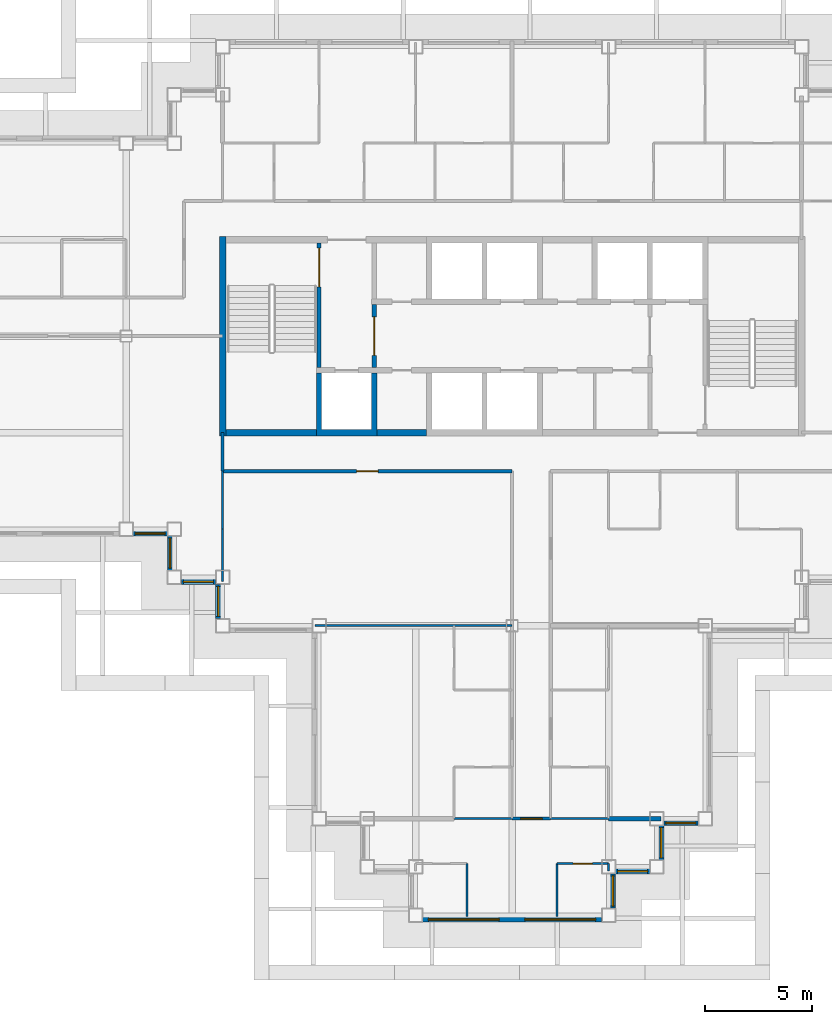
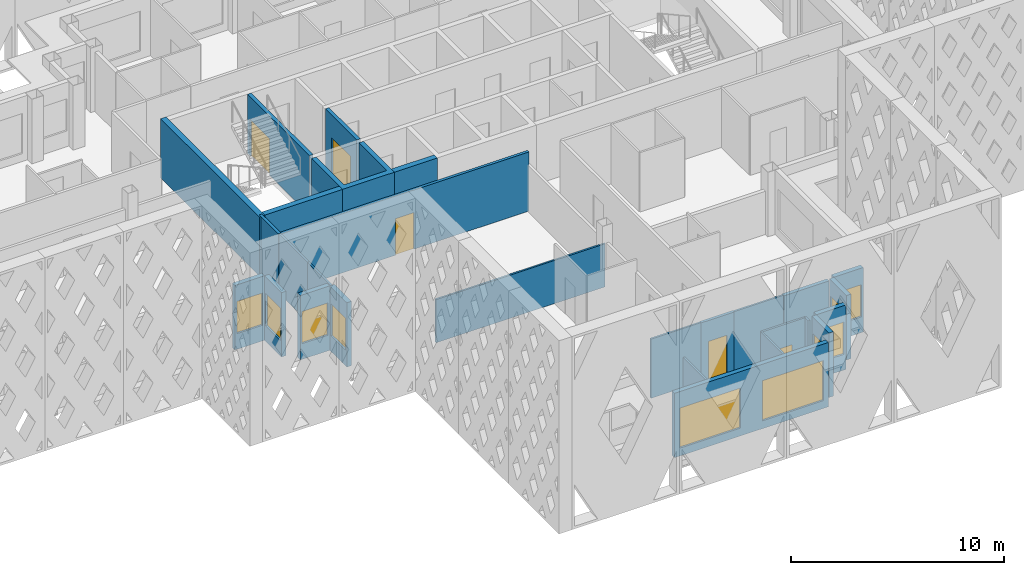
# One storey, part 3 of 17: 28 walls, 10 windows, 5 doors, 15 openings.
"""IFC4 building model written with IfcOpenShell, lengths in metres."""

from ifc_helpers import new_model, si_unit, direction, frame, frame_2d, origin, place, context, subcontext, project, spatial, polyline, rectangle, outline, extrude, material, layer, layer_set, type_object, element, fill, save


model = new_model("IFC4")

# Units and contexts
model_context = context("Model", 3, precision=1e-05, world=origin(), true_north=direction((0.0, 1.0)))
body_context = subcontext(model_context, "Body", "Model", "MODEL_VIEW")
ifc_project = project(units=[si_unit("LENGTHUNIT", "METRE"), si_unit("AREAUNIT", "SQUARE_METRE"), si_unit("VOLUMEUNIT", "CUBIC_METRE"), si_unit("PLANEANGLEUNIT", "RADIAN"), si_unit("MASSUNIT", "GRAM", prefix="KILO")], contexts=[model_context])

# Site, building, storey
site_placement = place(None, origin())
site = spatial("IfcSite", under=ifc_project, at=site_placement, CompositionType="ELEMENT")
building_placement = place(site_placement, origin())
building = spatial("IfcBuilding", under=site, at=building_placement, Name="Caravel Reach Hotel and Residences", CompositionType="ELEMENT")
storey_placement = place(building_placement, frame((0.0, 0.0, 222.0)))
storey = spatial("IfcBuildingStorey", under=building, at=storey_placement, Name="L56", CompositionType="ELEMENT", Elevation=222.0)

# Walls
ifc_material_1 = material(Name="Gypsum board on steel stud", Category="steel")
ifc_layer_1 = layer(ifc_material_1, 0.10009765625)
ifc_layer_set_1 = layer_set([ifc_layer_1], Name="Bathroom pod wall 100 mm")
wall_type_1 = type_object("IfcWallType", Name="Bathroom pod wall 100 mm", PredefinedType="PARTITIONING", material=ifc_layer_set_1)
for number, where, z_axis, x_axis, name in (
    (1, (33.300048828125, 4.5, 0.0), (0.0, 0.0, 1.0), (1.0, 0.0, 0.0), "L56 wall w086"),
    (2, (28.800048828125, 4.5, 0.0), (0.0, 0.0, 1.0), (1.0, 0.0, 0.0), "L56 wall w087"),
):
    element("IfcWall", number, at=place(storey_placement, frame(where, z_axis=z_axis, x_axis=x_axis)), inside=storey, type_object=wall_type_1, Name=name, PredefinedType="PARTITIONING", context=body_context, shape_type="SweptSolid", body=[
        extrude(rectangle(XDim=2.699951171875, YDim=0.10009765625, at=frame_2d((1.35009765625, 0.0))), origin(), (0.0, 0.0, 1.0), 3.39990234375),
    ])
wall_1_placement = place(storey_placement, frame((29.39990234375, -0.074951171875, 0.0), z_axis=(0.0, 0.0, 1.0), x_axis=(0.0, 1.0, 0.0)))
element("IfcWall", 3, at=wall_1_placement, inside=storey, type_object=wall_type_1, Name="L56 wall w094", PredefinedType="PARTITIONING", context=body_context, shape_type="SweptSolid", body=[
    extrude(rectangle(XDim=2.474853515625, YDim=0.10009765625, at=frame_2d((1.2373046875, 0.0))), origin(), (0.0, 0.0, 1.0), 3.39990234375),
])
ifc_material_2 = material(Name="Concrete C60", Category="concrete")
ifc_layer_2 = layer(ifc_material_2, 0.300048828125)
ifc_layer_set_2 = layer_set([ifc_layer_2], Name="Core wall 300 mm EI 120")
wall_type_2 = type_object("IfcWallType", Name="Core wall 300 mm EI 120", PredefinedType="SHEAR", material=ifc_layer_set_2)
wall_2_placement = place(storey_placement, frame((18.14990234375, 22.5, 0.0), z_axis=(0.0, 0.0, 1.0), x_axis=(1.0, 0.0, 0.0)))
element("IfcWall", 4, at=wall_2_placement, inside=storey, type_object=wall_type_2, Name="L56 core wall S1", PredefinedType="SHEAR", context=body_context, shape_type="SweptSolid", body=[
    extrude(rectangle(XDim=4.22509765625, YDim=0.300048828125, at=frame_2d((2.112548828125, 0.0))), origin(), (0.0, 0.0, 1.0), 3.39990234375),
])
wall_3_placement = place(storey_placement, frame((25.196533203125, 22.5, 0.0), z_axis=(0.0, 0.0, 1.0), x_axis=(1.0, 0.0, 0.0)))
element("IfcWall", 5, at=wall_3_placement, inside=storey, type_object=wall_type_2, Name="L56 core wall S2", PredefinedType="SHEAR", context=body_context, shape_type="SweptSolid", body=[
    extrude(rectangle(XDim=2.3212890625, YDim=0.300048828125, at=frame_2d((1.16064453125, 0.0))), origin(), (0.0, 0.0, 1.0), 3.39990234375),
])
wall_4_placement = place(storey_placement, frame((18.0, 22.35009765625, 0.0), z_axis=(0.0, 0.0, 1.0), x_axis=(0.0, 1.0, 0.0)))
element("IfcWall", 6, at=wall_4_placement, inside=storey, type_object=wall_type_2, Name="L56 core wall W", PredefinedType="SHEAR", context=body_context, shape_type="SweptSolid", body=[
    extrude(rectangle(XDim=9.2998046875, YDim=0.300048828125, at=frame_2d((4.64990234375, 0.0))), origin(), (0.0, 0.0, 1.0), 3.39990234375),
])

# Wall, opening, door
ifc_material_3 = material(Name="Gypsum board on steel stud, fire-rated", Category="steel")
ifc_layer_3 = layer(ifc_material_3, 0.14990234375)
ifc_layer_set_3 = layer_set([ifc_layer_3], Name="Corridor wall 150 mm EI 60")
wall_type_3 = type_object("IfcWallType", Name="Corridor wall 150 mm EI 60", PredefinedType="PARTITIONING", material=ifc_layer_set_3)
wall_5_placement = place(storey_placement, frame((18.0, 20.699951171875, 0.0), z_axis=(0.0, 0.0, 1.0), x_axis=(1.0, 0.0, 0.0)))
wall_5 = element("IfcWall", 7, at=wall_5_placement, inside=storey, type_object=wall_type_3, Name="L56 wall w005", PredefinedType="PARTITIONING", context=body_context, shape_type="SweptSolid", body=[
    extrude(rectangle(XDim=13.5, YDim=0.14990234375, at=frame_2d((6.75, 0.0))), origin(), (0.0, 0.0, 1.0), 3.39990234375),
])
opening_1_placement = place(wall_5_placement, frame((6.25, 0.0, 0.0)))
opening_1 = element("IfcOpeningElement", 8, at=opening_1_placement, cuts=wall_5, Name="Opening D56-033", PredefinedType="OPENING", context=body_context, shape_type="SweptSolid", body=[
    extrude(rectangle(XDim=1.0, YDim=2.10009765625, at=frame_2d((0.5, 1.050048828125))), frame((0.0, 0.0849609375, 0.0), z_axis=(0.0, -1.0, 0.0), x_axis=(1.0, 0.0, 0.0)), (0.0, 0.0, 1.0), 0.169921875),
])
ifc_material_4 = material(Name="Steel fire door leaf", Category="steel")
door_type_1 = type_object("IfcDoorType", Name="Fire door 1000 x 2100 EI 60", OperationType="SINGLE_SWING_LEFT", PredefinedType="DOOR", material=ifc_material_4)
door_1_placement = place(opening_1_placement, origin())
door_1 = element("IfcDoor", 9, at=door_1_placement, inside=storey, type_object=door_type_1, Name="door D56-033", OperationType="SINGLE_SWING_RIGHT", OverallHeight=2.10009765625, OverallWidth=1.0, PredefinedType="DOOR", context=body_context, shape_type="SweptSolid", body=[
    extrude(rectangle(XDim=1.0, YDim=2.10009765625, at=frame_2d((0.5, 1.050048828125))), frame((0.0, 0.02490234375, 0.0), z_axis=(0.0, -1.0, 0.0), x_axis=(1.0, 0.0, 0.0)), (0.0, 0.0, 1.0), 0.050048828125),
])
fill(opening_1, door_1)

wall_6_placement = place(storey_placement, frame((31.5, 4.5, 0.0), z_axis=(0.0, 0.0, 1.0), x_axis=(1.0, 0.0, 0.0)))
wall_6 = element("IfcWall", 10, at=wall_6_placement, inside=storey, type_object=wall_type_3, Name="L56 wall w018", PredefinedType="PARTITIONING", context=body_context, shape_type="SweptSolid", body=[
    extrude(rectangle(XDim=1.800048828125, YDim=0.14990234375, at=frame_2d((0.89990234375, 0.0))), origin(), (0.0, 0.0, 1.0), 3.39990234375),
])
opening_2_placement = place(wall_6_placement, frame((0.39990234375, 0.0, 0.0)))
opening_2 = element("IfcOpeningElement", 11, at=opening_2_placement, cuts=wall_6, Name="Opening D56-047", PredefinedType="OPENING", context=body_context, shape_type="SweptSolid", body=[
    extrude(rectangle(XDim=1.0, YDim=2.199951171875, at=frame_2d((0.5, 1.10009765625))), frame((0.0, 0.0849609375, 0.0), z_axis=(0.0, -1.0, 0.0), x_axis=(1.0, 0.0, 0.0)), (0.0, 0.0, 1.0), 0.169921875),
])
ifc_material_5 = material(Name="Steel fire door leaf", Category="steel")
door_type_2 = type_object("IfcDoorType", Name="Flat entrance door 1000 x 2200 EI 60", OperationType="SINGLE_SWING_LEFT", PredefinedType="DOOR", material=ifc_material_5)
door_2_placement = place(opening_2_placement, origin())
door_2 = element("IfcDoor", 12, at=door_2_placement, inside=storey, type_object=door_type_2, Name="door D56-047", OperationType="SINGLE_SWING_RIGHT", OverallHeight=2.199951171875, OverallWidth=1.0, PredefinedType="DOOR", context=body_context, shape_type="SweptSolid", body=[
    extrude(rectangle(XDim=1.0, YDim=2.199951171875, at=frame_2d((0.5, 1.10009765625))), frame((0.0, 0.02490234375, 0.0), z_axis=(0.0, -1.0, 0.0), x_axis=(1.0, 0.0, 0.0)), (0.0, 0.0, 1.0), 0.050048828125),
])
fill(opening_2, door_2)

# Wall
wall_7_placement = place(storey_placement, frame((18.0, 20.699951171875, 0.0), z_axis=(0.0, 0.0, 1.0), x_axis=(0.0, 1.0, 0.0)))
element("IfcWall", 13, at=wall_7_placement, inside=storey, type_object=wall_type_3, Name="L56 wall w020", PredefinedType="PARTITIONING", context=body_context, shape_type="SweptSolid", body=[
    extrude(rectangle(XDim=1.800048828125, YDim=0.14990234375, at=frame_2d((0.89990234375, 0.0))), origin(), (0.0, 0.0, 1.0), 3.39990234375),
])

# Wall, opening, window
ifc_material_6 = material(Name="Insulated rainscreen wall, aluminium cladding", Category="aluminium")
ifc_layer_4 = layer(ifc_material_6, 0.25)
ifc_layer_set_4 = layer_set([ifc_layer_4], Name="EW1 Tower rainscreen wall")
wall_type_4 = type_object("IfcWallType", Name="EW1 Tower rainscreen wall", PredefinedType="SOLIDWALL", material=ifc_layer_set_4)
wall_8_placement = place(storey_placement, frame((13.824951171875, 17.800048828125, 0.0), z_axis=(0.0, 0.0, 1.0), x_axis=(1.0, 0.0, 0.0)))
wall_8 = element("IfcWall", 14, at=wall_8_placement, inside=storey, type_object=wall_type_4, Name="External wall L56 S25.2", PredefinedType="SOLIDWALL", context=body_context, shape_type="SweptSolid", body=[
    extrude(rectangle(XDim=1.60009765625, YDim=0.25, at=frame_2d((0.800048828125, 0.0))), origin(), (0.0, 0.0, 1.0), 3.699951171875),
])
opening_3_placement = place(wall_8_placement, frame((0.10009765625, 0.0, 0.89990234375)))
opening_3 = element("IfcOpeningElement", 15, at=opening_3_placement, cuts=wall_8, Name="Opening WN22", PredefinedType="OPENING", context=body_context, shape_type="SweptSolid", body=[
    extrude(rectangle(XDim=1.39990234375, YDim=1.85009765625, at=frame_2d((0.699951171875, 0.925048828125))), frame((0.0, 0.135009765625, 0.0), z_axis=(0.0, -1.0, 0.0), x_axis=(1.0, 0.0, 0.0)), (0.0, 0.0, 1.0), 0.27001953125),
])
ifc_material_7 = material(Name="Dark low-e glazing in black aluminium frame", Category="aluminium")
window_type_1 = type_object("IfcWindowType", Name="Residence bedroom window 1400 x 1850", PartitioningType="SINGLE_PANEL", PredefinedType="WINDOW", material=ifc_material_7)
window_1_placement = place(opening_3_placement, origin())
window_1 = element("IfcWindow", 16, at=window_1_placement, inside=storey, type_object=window_type_1, Name="Window L56 S25.2.1", OverallHeight=1.85009765625, OverallWidth=1.39990234375, PartitioningType="SINGLE_PANEL", PredefinedType="WINDOW", context=body_context, shape_type="SweptSolid", body=[
    extrude(rectangle(XDim=1.39990234375, YDim=1.85009765625, at=frame_2d((0.699951171875, 0.925048828125))), frame((0.0, 0.030029296875, 0.0), z_axis=(0.0, -1.0, 0.0), x_axis=(1.0, 0.0, 0.0)), (0.0, 0.0, 1.0), 0.06005859375),
])
fill(opening_3, window_1)

wall_9_placement = place(storey_placement, frame((15.550048828125, 17.675048828125, 0.0), z_axis=(0.0, 0.0, 1.0), x_axis=(0.0, -1.0, 0.0)))
wall_9 = element("IfcWall", 17, at=wall_9_placement, inside=storey, type_object=wall_type_4, Name="External wall L56 W26.1", PredefinedType="SOLIDWALL", context=body_context, shape_type="SweptSolid", body=[
    extrude(rectangle(XDim=1.60009765625, YDim=0.25, at=frame_2d((0.800048828125, 0.0))), origin(), (0.0, 0.0, 1.0), 3.699951171875),
])
opening_4_placement = place(wall_9_placement, frame((0.10009765625, 0.0, 0.89990234375)))
opening_4 = element("IfcOpeningElement", 18, at=opening_4_placement, cuts=wall_9, Name="Opening WN22", PredefinedType="OPENING", context=body_context, shape_type="SweptSolid", body=[
    extrude(rectangle(XDim=1.39990234375, YDim=1.85009765625, at=frame_2d((0.699951171875, 0.925048828125))), frame((0.0, 0.135009765625, 0.0), z_axis=(0.0, -1.0, 0.0), x_axis=(1.0, 0.0, 0.0)), (0.0, 0.0, 1.0), 0.27001953125),
])
window_2_placement = place(opening_4_placement, origin())
window_2 = element("IfcWindow", 19, at=window_2_placement, inside=storey, type_object=window_type_1, Name="Window L56 W26.1.1", OverallHeight=1.85009765625, OverallWidth=1.39990234375, PartitioningType="SINGLE_PANEL", PredefinedType="WINDOW", context=body_context, shape_type="SweptSolid", body=[
    extrude(rectangle(XDim=1.39990234375, YDim=1.85009765625, at=frame_2d((0.699951171875, 0.925048828125))), frame((0.0, 0.030029296875, 0.0), z_axis=(0.0, -1.0, 0.0), x_axis=(1.0, 0.0, 0.0)), (0.0, 0.0, 1.0), 0.06005859375),
])
fill(opening_4, window_2)

wall_10_placement = place(storey_placement, frame((16.074951171875, 15.550048828125, 0.0), z_axis=(0.0, 0.0, 1.0), x_axis=(1.0, 0.0, 0.0)))
wall_10 = element("IfcWall", 20, at=wall_10_placement, inside=storey, type_object=wall_type_4, Name="External wall L56 S27.1", PredefinedType="SOLIDWALL", context=body_context, shape_type="SweptSolid", body=[
    extrude(rectangle(XDim=1.60009765625, YDim=0.25, at=frame_2d((0.800048828125, 0.0))), origin(), (0.0, 0.0, 1.0), 3.699951171875),
])
opening_5_placement = place(wall_10_placement, frame((0.10009765625, 0.0, 0.89990234375)))
opening_5 = element("IfcOpeningElement", 21, at=opening_5_placement, cuts=wall_10, Name="Opening WN22", PredefinedType="OPENING", context=body_context, shape_type="SweptSolid", body=[
    extrude(rectangle(XDim=1.39990234375, YDim=1.85009765625, at=frame_2d((0.699951171875, 0.925048828125))), frame((0.0, 0.135009765625, 0.0), z_axis=(0.0, -1.0, 0.0), x_axis=(1.0, 0.0, 0.0)), (0.0, 0.0, 1.0), 0.27001953125),
])
window_3_placement = place(opening_5_placement, origin())
window_3 = element("IfcWindow", 22, at=window_3_placement, inside=storey, type_object=window_type_1, Name="Window L56 S27.1.1", OverallHeight=1.85009765625, OverallWidth=1.39990234375, PartitioningType="SINGLE_PANEL", PredefinedType="WINDOW", context=body_context, shape_type="SweptSolid", body=[
    extrude(rectangle(XDim=1.39990234375, YDim=1.85009765625, at=frame_2d((0.699951171875, 0.925048828125))), frame((0.0, 0.030029296875, 0.0), z_axis=(0.0, -1.0, 0.0), x_axis=(1.0, 0.0, 0.0)), (0.0, 0.0, 1.0), 0.06005859375),
])
fill(opening_5, window_3)

wall_11_placement = place(storey_placement, frame((17.800048828125, 15.425048828125, 0.0), z_axis=(0.0, 0.0, 1.0), x_axis=(0.0, -1.0, 0.0)))
wall_11 = element("IfcWall", 23, at=wall_11_placement, inside=storey, type_object=wall_type_4, Name="External wall L56 W28.1", PredefinedType="SOLIDWALL", context=body_context, shape_type="SweptSolid", body=[
    extrude(rectangle(XDim=1.60009765625, YDim=0.25, at=frame_2d((0.800048828125, 0.0))), origin(), (0.0, 0.0, 1.0), 3.699951171875),
])
opening_6_placement = place(wall_11_placement, frame((0.10009765625, 0.0, 0.89990234375)))
opening_6 = element("IfcOpeningElement", 24, at=opening_6_placement, cuts=wall_11, Name="Opening WN22", PredefinedType="OPENING", context=body_context, shape_type="SweptSolid", body=[
    extrude(rectangle(XDim=1.39990234375, YDim=1.85009765625, at=frame_2d((0.699951171875, 0.925048828125))), frame((0.0, 0.135009765625, 0.0), z_axis=(0.0, -1.0, 0.0), x_axis=(1.0, 0.0, 0.0)), (0.0, 0.0, 1.0), 0.27001953125),
])
window_4_placement = place(opening_6_placement, origin())
window_4 = element("IfcWindow", 25, at=window_4_placement, inside=storey, type_object=window_type_1, Name="Window L56 W28.1.1", OverallHeight=1.85009765625, OverallWidth=1.39990234375, PartitioningType="SINGLE_PANEL", PredefinedType="WINDOW", context=body_context, shape_type="SweptSolid", body=[
    extrude(rectangle(XDim=1.39990234375, YDim=1.85009765625, at=frame_2d((0.699951171875, 0.925048828125))), frame((0.0, 0.030029296875, 0.0), z_axis=(0.0, -1.0, 0.0), x_axis=(1.0, 0.0, 0.0)), (0.0, 0.0, 1.0), 0.06005859375),
])
fill(opening_6, window_4)

# Wall, openings, windows
wall_12_placement = place(storey_placement, frame((27.324951171875, -0.199951171875, 0.0), z_axis=(0.0, 0.0, 1.0), x_axis=(1.0, 0.0, 0.0)))
wall_12 = element("IfcWall", 26, at=wall_12_placement, inside=storey, type_object=wall_type_4, Name="External wall L56 S35.1", PredefinedType="SOLIDWALL", context=body_context, shape_type="SweptSolid", body=[
    extrude(rectangle(XDim=8.35009765625, YDim=0.25, at=frame_2d((4.175048828125, 0.0))), origin(), (0.0, 0.0, 1.0), 3.699951171875),
])
opening_7_placement = place(wall_12_placement, frame((0.27490234375, 0.0, 0.449951171875)))
opening_7 = element("IfcOpeningElement", 27, at=opening_7_placement, cuts=wall_12, Name="Opening WN15", PredefinedType="OPENING", context=body_context, shape_type="SweptSolid", body=[
    extrude(rectangle(XDim=3.300048828125, YDim=2.300048828125, at=frame_2d((1.64990234375, 1.14990234375))), frame((0.0, 0.135009765625, 0.0), z_axis=(0.0, -1.0, 0.0), x_axis=(1.0, 0.0, 0.0)), (0.0, 0.0, 1.0), 0.27001953125),
])
opening_8_placement = place(wall_12_placement, frame((4.77490234375, 0.0, 0.449951171875)))
opening_8 = element("IfcOpeningElement", 28, at=opening_8_placement, cuts=wall_12, Name="Opening WN15", PredefinedType="OPENING", context=body_context, shape_type="SweptSolid", body=[
    extrude(rectangle(XDim=3.300048828125, YDim=2.300048828125, at=frame_2d((1.64990234375, 1.14990234375))), frame((0.0, 0.135009765625, 0.0), z_axis=(0.0, -1.0, 0.0), x_axis=(1.0, 0.0, 0.0)), (0.0, 0.0, 1.0), 0.27001953125),
])
ifc_material_8 = material(Name="Dark low-e glazing in black aluminium frame", Category="aluminium")
window_type_2 = type_object("IfcWindowType", Name="Residence living window 3300 x 2300", PartitioningType="SINGLE_PANEL", PredefinedType="WINDOW", material=ifc_material_8)
window_5_placement = place(opening_7_placement, origin())
window_5 = element("IfcWindow", 29, at=window_5_placement, inside=storey, type_object=window_type_2, Name="Window L56 S35.1.1", OverallHeight=2.300048828125, OverallWidth=3.300048828125, PartitioningType="SINGLE_PANEL", PredefinedType="WINDOW", context=body_context, shape_type="SweptSolid", body=[
    extrude(rectangle(XDim=3.300048828125, YDim=2.300048828125, at=frame_2d((1.64990234375, 1.14990234375))), frame((0.0, 0.030029296875, 0.0), z_axis=(0.0, -1.0, 0.0), x_axis=(1.0, 0.0, 0.0)), (0.0, 0.0, 1.0), 0.06005859375),
])
fill(opening_7, window_5)
window_6_placement = place(opening_8_placement, origin())
window_6 = element("IfcWindow", 30, at=window_6_placement, inside=storey, type_object=window_type_2, Name="Window L56 S35.1.2", OverallHeight=2.300048828125, OverallWidth=3.300048828125, PartitioningType="SINGLE_PANEL", PredefinedType="WINDOW", context=body_context, shape_type="SweptSolid", body=[
    extrude(rectangle(XDim=3.300048828125, YDim=2.300048828125, at=frame_2d((1.64990234375, 1.14990234375))), frame((0.0, 0.030029296875, 0.0), z_axis=(0.0, -1.0, 0.0), x_axis=(1.0, 0.0, 0.0)), (0.0, 0.0, 1.0), 0.06005859375),
])
fill(opening_8, window_6)

# Wall, opening, window
wall_13_placement = place(storey_placement, frame((36.199951171875, 0.324951171875, 0.0), z_axis=(0.0, 0.0, 1.0), x_axis=(0.0, 1.0, 0.0)))
wall_13 = element("IfcWall", 31, at=wall_13_placement, inside=storey, type_object=wall_type_4, Name="External wall L56 E36.1", PredefinedType="SOLIDWALL", context=body_context, shape_type="SweptSolid", body=[
    extrude(rectangle(XDim=1.60009765625, YDim=0.25, at=frame_2d((0.800048828125, 0.0))), origin(), (0.0, 0.0, 1.0), 3.699951171875),
])
opening_9_placement = place(wall_13_placement, frame((0.10009765625, 0.0, 0.89990234375)))
opening_9 = element("IfcOpeningElement", 32, at=opening_9_placement, cuts=wall_13, Name="Opening WN22", PredefinedType="OPENING", context=body_context, shape_type="SweptSolid", body=[
    extrude(rectangle(XDim=1.39990234375, YDim=1.85009765625, at=frame_2d((0.699951171875, 0.925048828125))), frame((0.0, 0.135009765625, 0.0), z_axis=(0.0, -1.0, 0.0), x_axis=(1.0, 0.0, 0.0)), (0.0, 0.0, 1.0), 0.27001953125),
])
window_7_placement = place(opening_9_placement, origin())
window_7 = element("IfcWindow", 33, at=window_7_placement, inside=storey, type_object=window_type_1, Name="Window L56 E36.1.1", OverallHeight=1.85009765625, OverallWidth=1.39990234375, PartitioningType="SINGLE_PANEL", PredefinedType="WINDOW", context=body_context, shape_type="SweptSolid", body=[
    extrude(rectangle(XDim=1.39990234375, YDim=1.85009765625, at=frame_2d((0.699951171875, 0.925048828125))), frame((0.0, 0.030029296875, 0.0), z_axis=(0.0, -1.0, 0.0), x_axis=(1.0, 0.0, 0.0)), (0.0, 0.0, 1.0), 0.06005859375),
])
fill(opening_9, window_7)

wall_14_placement = place(storey_placement, frame((36.324951171875, 2.050048828125, 0.0), z_axis=(0.0, 0.0, 1.0), x_axis=(1.0, 0.0, 0.0)))
wall_14 = element("IfcWall", 34, at=wall_14_placement, inside=storey, type_object=wall_type_4, Name="External wall L56 S37.1", PredefinedType="SOLIDWALL", context=body_context, shape_type="SweptSolid", body=[
    extrude(rectangle(XDim=1.60009765625, YDim=0.25, at=frame_2d((0.800048828125, 0.0))), origin(), (0.0, 0.0, 1.0), 3.699951171875),
])
opening_10_placement = place(wall_14_placement, frame((0.10009765625, 0.0, 0.89990234375)))
opening_10 = element("IfcOpeningElement", 35, at=opening_10_placement, cuts=wall_14, Name="Opening WN22", PredefinedType="OPENING", context=body_context, shape_type="SweptSolid", body=[
    extrude(rectangle(XDim=1.39990234375, YDim=1.85009765625, at=frame_2d((0.699951171875, 0.925048828125))), frame((0.0, 0.135009765625, 0.0), z_axis=(0.0, -1.0, 0.0), x_axis=(1.0, 0.0, 0.0)), (0.0, 0.0, 1.0), 0.27001953125),
])
window_8_placement = place(opening_10_placement, origin())
window_8 = element("IfcWindow", 36, at=window_8_placement, inside=storey, type_object=window_type_1, Name="Window L56 S37.1.1", OverallHeight=1.85009765625, OverallWidth=1.39990234375, PartitioningType="SINGLE_PANEL", PredefinedType="WINDOW", context=body_context, shape_type="SweptSolid", body=[
    extrude(rectangle(XDim=1.39990234375, YDim=1.85009765625, at=frame_2d((0.699951171875, 0.925048828125))), frame((0.0, 0.030029296875, 0.0), z_axis=(0.0, -1.0, 0.0), x_axis=(1.0, 0.0, 0.0)), (0.0, 0.0, 1.0), 0.06005859375),
])
fill(opening_10, window_8)

wall_15_placement = place(storey_placement, frame((38.449951171875, 2.574951171875, 0.0), z_axis=(0.0, 0.0, 1.0), x_axis=(0.0, 1.0, 0.0)))
wall_15 = element("IfcWall", 37, at=wall_15_placement, inside=storey, type_object=wall_type_4, Name="External wall L56 E38.1", PredefinedType="SOLIDWALL", context=body_context, shape_type="SweptSolid", body=[
    extrude(rectangle(XDim=1.60009765625, YDim=0.25, at=frame_2d((0.800048828125, 0.0))), origin(), (0.0, 0.0, 1.0), 3.699951171875),
])
opening_11_placement = place(wall_15_placement, frame((0.10009765625, 0.0, 0.89990234375)))
opening_11 = element("IfcOpeningElement", 38, at=opening_11_placement, cuts=wall_15, Name="Opening WN22", PredefinedType="OPENING", context=body_context, shape_type="SweptSolid", body=[
    extrude(rectangle(XDim=1.39990234375, YDim=1.85009765625, at=frame_2d((0.699951171875, 0.925048828125))), frame((0.0, 0.135009765625, 0.0), z_axis=(0.0, -1.0, 0.0), x_axis=(1.0, 0.0, 0.0)), (0.0, 0.0, 1.0), 0.27001953125),
])
window_9_placement = place(opening_11_placement, origin())
window_9 = element("IfcWindow", 39, at=window_9_placement, inside=storey, type_object=window_type_1, Name="Window L56 E38.1.1", OverallHeight=1.85009765625, OverallWidth=1.39990234375, PartitioningType="SINGLE_PANEL", PredefinedType="WINDOW", context=body_context, shape_type="SweptSolid", body=[
    extrude(rectangle(XDim=1.39990234375, YDim=1.85009765625, at=frame_2d((0.699951171875, 0.925048828125))), frame((0.0, 0.030029296875, 0.0), z_axis=(0.0, -1.0, 0.0), x_axis=(1.0, 0.0, 0.0)), (0.0, 0.0, 1.0), 0.06005859375),
])
fill(opening_11, window_9)

wall_16_placement = place(storey_placement, frame((38.574951171875, 4.300048828125, 0.0), z_axis=(0.0, 0.0, 1.0), x_axis=(1.0, 0.0, 0.0)))
wall_16 = element("IfcWall", 40, at=wall_16_placement, inside=storey, type_object=wall_type_4, Name="External wall L56 S39.1", PredefinedType="SOLIDWALL", context=body_context, shape_type="SweptSolid", body=[
    extrude(rectangle(XDim=1.60009765625, YDim=0.25, at=frame_2d((0.800048828125, 0.0))), origin(), (0.0, 0.0, 1.0), 3.699951171875),
])
opening_12_placement = place(wall_16_placement, frame((0.10009765625, 0.0, 0.89990234375)))
opening_12 = element("IfcOpeningElement", 41, at=opening_12_placement, cuts=wall_16, Name="Opening WN22", PredefinedType="OPENING", context=body_context, shape_type="SweptSolid", body=[
    extrude(rectangle(XDim=1.39990234375, YDim=1.85009765625, at=frame_2d((0.699951171875, 0.925048828125))), frame((0.0, 0.135009765625, 0.0), z_axis=(0.0, -1.0, 0.0), x_axis=(1.0, 0.0, 0.0)), (0.0, 0.0, 1.0), 0.27001953125),
])
window_10_placement = place(opening_12_placement, origin())
window_10 = element("IfcWindow", 42, at=window_10_placement, inside=storey, type_object=window_type_1, Name="Window L56 S39.1.1", OverallHeight=1.85009765625, OverallWidth=1.39990234375, PartitioningType="SINGLE_PANEL", PredefinedType="WINDOW", context=body_context, shape_type="SweptSolid", body=[
    extrude(rectangle(XDim=1.39990234375, YDim=1.85009765625, at=frame_2d((0.699951171875, 0.925048828125))), frame((0.0, 0.030029296875, 0.0), z_axis=(0.0, -1.0, 0.0), x_axis=(1.0, 0.0, 0.0)), (0.0, 0.0, 1.0), 0.06005859375),
])
fill(opening_12, window_10)

# Wall, opening, door
ifc_material_9 = material(Name="Autoclaved aerated block wall")
ifc_layer_5 = layer(ifc_material_9, 0.199951171875)
ifc_layer_set_5 = layer_set([ifc_layer_5], Name="Fire lobby wall 200 mm EI 120")
wall_type_5 = type_object("IfcWallType", Name="Fire lobby wall 200 mm EI 120", PredefinedType="PARTITIONING", material=ifc_layer_set_5)
wall_17_placement = place(storey_placement, frame((25.071533203125, 25.52490234375, 0.0), z_axis=(0.0, 0.0, 1.0), x_axis=(0.0, 1.0, 0.0)))
wall_17 = element("IfcWall", 43, at=wall_17_placement, inside=storey, type_object=wall_type_5, Name="L56 lobby W wall", PredefinedType="PARTITIONING", context=body_context, shape_type="SweptSolid", body=[
    extrude(rectangle(XDim=2.9501953125, YDim=0.199951171875, at=frame_2d((1.47509765625, 0.0))), origin(), (0.0, 0.0, 1.0), 3.39990234375),
])
opening_13_placement = place(wall_17_placement, frame((0.574951171875, 0.0, 0.0)))
opening_13 = element("IfcOpeningElement", 44, at=opening_13_placement, cuts=wall_17, Name="Opening D56-013", PredefinedType="OPENING", context=body_context, shape_type="SweptSolid", body=[
    extrude(rectangle(XDim=1.800048828125, YDim=2.10009765625, at=frame_2d((0.89990234375, 1.050048828125))), frame((0.0, 0.10986328125, 0.0), z_axis=(0.0, -1.0, 0.0), x_axis=(1.0, 0.0, 0.0)), (0.0, 0.0, 1.0), 0.219970703125),
])
ifc_material_10 = material(Name="Steel fire door leaf", Category="steel")
door_type_3 = type_object("IfcDoorType", Name="Fire lobby door pair 1800 x 2100 EI 90", OperationType="DOUBLE_DOOR_SINGLE_SWING", PredefinedType="DOOR", material=ifc_material_10)
door_3_placement = place(opening_13_placement, origin())
door_3 = element("IfcDoor", 45, at=door_3_placement, inside=storey, type_object=door_type_3, Name="lobby W door pair", OperationType="DOUBLE_DOOR_SINGLE_SWING", OverallHeight=2.10009765625, OverallWidth=1.800048828125, PredefinedType="DOOR", context=body_context, shape_type="SweptSolid", body=[
    extrude(rectangle(XDim=1.800048828125, YDim=2.10009765625, at=frame_2d((0.89990234375, 1.050048828125))), frame((0.0, 0.02490234375, 0.0), z_axis=(0.0, -1.0, 0.0), x_axis=(1.0, 0.0, 0.0)), (0.0, 0.0, 1.0), 0.050048828125),
])
fill(opening_13, door_3)

# Wall
ifc_material_11 = material(Name="Gypsum board on steel stud", Category="steel")
ifc_layer_6 = layer(ifc_material_11, 0.10009765625)
ifc_layer_set_6 = layer_set([ifc_layer_6], Name="Partition 100 mm")
wall_type_6 = type_object("IfcWallType", Name="Partition 100 mm", PredefinedType="PARTITIONING", material=ifc_layer_set_6)
wall_18_placement = place(storey_placement, frame((22.31005859375, 13.5, 0.0), z_axis=(0.0, 0.0, 1.0), x_axis=(1.0, 0.0, 0.0)))
element("IfcWall", 46, at=wall_18_placement, inside=storey, type_object=wall_type_6, Name="L56 wall w031", PredefinedType="PARTITIONING", context=body_context, shape_type="SweptSolid", body=[
    extrude(rectangle(XDim=9.18994140625, YDim=0.10009765625, at=frame_2d((4.594970703125, 0.0))), origin(), (0.0, 0.0, 1.0), 2.47998046875),
])

# Wall, opening, door
wall_19_placement = place(storey_placement, frame((33.60009765625, 2.39990234375, 0.0), z_axis=(0.0, 0.0, 1.0), x_axis=(1.0, 0.0, 0.0)))
wall_19 = element("IfcWall", 47, at=wall_19_placement, inside=storey, type_object=wall_type_6, Name="L56 wall w034", PredefinedType="PARTITIONING", context=body_context, shape_type="SweptSolid", body=[
    extrude(rectangle(XDim=2.39990234375, YDim=0.10009765625, at=frame_2d((1.199951171875, 0.0))), origin(), (0.0, 0.0, 1.0), 3.39990234375),
])
opening_14_placement = place(wall_19_placement, frame((0.75, 0.0, 0.0)))
opening_14 = element("IfcOpeningElement", 48, at=opening_14_placement, cuts=wall_19, Name="Opening D56-049", PredefinedType="OPENING", context=body_context, shape_type="SweptSolid", body=[
    extrude(rectangle(XDim=0.89990234375, YDim=2.10009765625, at=frame_2d((0.449951171875, 1.050048828125))), frame((0.0, 0.06005859375, 0.0), z_axis=(0.0, -1.0, 0.0), x_axis=(1.0, 0.0, 0.0)), (0.0, 0.0, 1.0), 0.1201171875),
])
ifc_material_12 = material(Name="Timber and steel door leaf", Category="steel")
door_type_4 = type_object("IfcDoorType", Name="Door 900 x 2100 timber", OperationType="SINGLE_SWING_LEFT", PredefinedType="DOOR", material=ifc_material_12)
door_4_placement = place(opening_14_placement, origin())
door_4 = element("IfcDoor", 49, at=door_4_placement, inside=storey, type_object=door_type_4, Name="door D56-049", OperationType="SINGLE_SWING_RIGHT", OverallHeight=2.10009765625, OverallWidth=0.89990234375, PredefinedType="DOOR", context=body_context, shape_type="SweptSolid", body=[
    extrude(rectangle(XDim=0.89990234375, YDim=2.10009765625, at=frame_2d((0.449951171875, 1.050048828125))), frame((0.0, 0.02490234375, 0.0), z_axis=(0.0, -1.0, 0.0), x_axis=(1.0, 0.0, 0.0)), (0.0, 0.0, 1.0), 0.050048828125),
])
fill(opening_14, door_4)

# Walls
wall_20_placement = place(storey_placement, frame((18.0, 15.56005859375, 0.0), z_axis=(0.0, 0.0, 1.0), x_axis=(0.0, 1.0, 0.0)))
element("IfcWall", 50, at=wall_20_placement, inside=storey, type_object=wall_type_6, Name="L56 wall w049", PredefinedType="PARTITIONING", context=body_context, shape_type="SweptSolid", body=[
    extrude(rectangle(XDim=2.43896484375, YDim=0.10009765625, at=frame_2d((1.219482421875, 0.0))), origin(), (0.0, 0.0, 1.0), 3.39990234375),
])
wall_21_placement = place(storey_placement, frame((18.0, 18.0, 0.0), z_axis=(0.0, 0.0, 1.0), x_axis=(0.0, 1.0, 0.0)))
element("IfcWall", 51, at=wall_21_placement, inside=storey, type_object=wall_type_6, Name="L56 wall w050", PredefinedType="PARTITIONING", context=body_context, shape_type="SweptSolid", body=[
    extrude(rectangle(XDim=2.699951171875, YDim=0.10009765625, at=frame_2d((1.35009765625, 0.0))), origin(), (0.0, 0.0, 1.0), 3.39990234375),
])
wall_22_placement = place(storey_placement, frame((33.60009765625, -0.074951171875, 0.0), z_axis=(0.0, 0.0, 1.0), x_axis=(0.0, 1.0, 0.0)))
element("IfcWall", 52, at=wall_22_placement, inside=storey, type_object=wall_type_6, Name="L56 wall w056", PredefinedType="PARTITIONING", context=body_context, shape_type="SweptSolid", body=[
    extrude(rectangle(XDim=2.474853515625, YDim=0.10009765625, at=frame_2d((1.2373046875, 0.0))), origin(), (0.0, 0.0, 1.0), 3.39990234375),
])
wall_23_placement = place(storey_placement, frame((36.0, 2.06005859375, 0.0), z_axis=(0.0, 0.0, 1.0), x_axis=(0.0, 1.0, 0.0)))
element("IfcWall", 53, at=wall_23_placement, inside=storey, type_object=wall_type_6, Name="L56 wall w059", PredefinedType="PARTITIONING", context=body_context, shape_type="SweptSolid", body=[
    extrude(rectangle(XDim=0.33984375, YDim=0.10009765625, at=frame_2d((0.169921875, 0.0))), origin(), (0.0, 0.0, 1.0), 3.39990234375),
])
ifc_material_13 = material(Name="Autoclaved aerated block wall")
ifc_layer_7 = layer(ifc_material_13, 0.199951171875)
ifc_layer_set_7 = layer_set([ifc_layer_7], Name="Party wall 200 mm EI 60")
wall_type_7 = type_object("IfcWallType", Name="Party wall 200 mm EI 60", PredefinedType="PARTITIONING", material=ifc_layer_set_7)
wall_24_placement = place(storey_placement, frame((36.0, 4.5, 0.0), z_axis=(0.0, 0.0, 1.0), x_axis=(1.0, 0.0, 0.0)))
element("IfcWall", 54, at=wall_24_placement, inside=storey, type_object=wall_type_7, Name="L56 wall w070", PredefinedType="PARTITIONING", context=body_context, shape_type="SweptSolid", body=[
    extrude(rectangle(XDim=2.43994140625, YDim=0.199951171875, at=frame_2d((1.219970703125, 0.0))), origin(), (0.0, 0.0, 1.0), 3.39990234375),
])
ifc_material_14 = material(Name="Concrete C60", Category="concrete")
ifc_layer_8 = layer(ifc_material_14, 0.25)
ifc_layer_set_8 = layer_set([ifc_layer_8], Name="Shaft wall 250 mm EI 120")
wall_type_8 = type_object("IfcWallType", Name="Shaft wall 250 mm EI 120", PredefinedType="SHEAR", material=ifc_layer_set_8)
wall_25_placement = place(storey_placement, origin())
element("IfcWall", 55, at=wall_25_placement, inside=storey, type_object=wall_type_8, Name="L56 lift shaft wall S1", PredefinedType="SHEAR", context=body_context, shape_type="SweptSolid", body=[
    extrude(outline(polyline([(22.375, 22.35009765625), (25.196533203125, 22.35009765625), (25.196533203125, 25.27490234375), (24.946533203125, 25.27490234375), (24.946533203125, 22.64990234375), (22.625, 22.64990234375), (22.625, 25.27490234375), (22.375, 25.27490234375), (22.375, 22.35009765625)])), origin(), (0.0, 0.0, 1.0), 3.39990234375),
])

# Wall, opening, door
ifc_material_15 = material(Name="Concrete C60", Category="concrete")
ifc_layer_9 = layer(ifc_material_15, 0.199951171875)
ifc_layer_set_9 = layer_set([ifc_layer_9], Name="Stair enclosure wall 200 mm EI 120")
wall_type_9 = type_object("IfcWallType", Name="Stair enclosure wall 200 mm EI 120", PredefinedType="SHEAR", material=ifc_layer_set_9)
wall_26_placement = place(storey_placement, frame((22.5, 31.35009765625, 0.0), z_axis=(0.0, 0.0, 1.0), x_axis=(0.0, -1.0, 0.0)))
wall_26 = element("IfcWall", 56, at=wall_26_placement, inside=storey, type_object=wall_type_9, Name="L56 stair A wall", PredefinedType="SHEAR", context=body_context, shape_type="SweptSolid", body=[
    extrude(rectangle(XDim=5.8251953125, YDim=0.199951171875, at=frame_2d((2.91259765625, 0.0))), origin(), (0.0, 0.0, 1.0), 3.39990234375),
])
opening_15_placement = place(wall_26_placement, frame((0.25, 0.0, 0.0)))
opening_15 = element("IfcOpeningElement", 57, at=opening_15_placement, cuts=wall_26, Name="Opening D56-011", PredefinedType="OPENING", context=body_context, shape_type="SweptSolid", body=[
    extrude(rectangle(XDim=1.800048828125, YDim=2.10009765625, at=frame_2d((0.89990234375, 1.050048828125))), frame((0.0, 0.10986328125, 0.0), z_axis=(0.0, -1.0, 0.0), x_axis=(1.0, 0.0, 0.0)), (0.0, 0.0, 1.0), 0.219970703125),
])
ifc_material_16 = material(Name="Steel fire door leaf", Category="steel")
door_type_5 = type_object("IfcDoorType", Name="Stair door pair 1800 x 2100 EI 90", OperationType="DOUBLE_DOOR_SINGLE_SWING", PredefinedType="DOOR", material=ifc_material_16)
door_5_placement = place(opening_15_placement, origin())
door_5 = element("IfcDoor", 58, at=door_5_placement, inside=storey, type_object=door_type_5, Name="stair A door pair", OperationType="DOUBLE_DOOR_SINGLE_SWING", OverallHeight=2.10009765625, OverallWidth=1.800048828125, PredefinedType="DOOR", context=body_context, shape_type="SweptSolid", body=[
    extrude(rectangle(XDim=1.800048828125, YDim=2.10009765625, at=frame_2d((0.89990234375, 1.050048828125))), frame((0.0, 0.02490234375, 0.0), z_axis=(0.0, -1.0, 0.0), x_axis=(1.0, 0.0, 0.0)), (0.0, 0.0, 1.0), 0.050048828125),
])
fill(opening_15, door_5)

save(model, "model.ifc")
